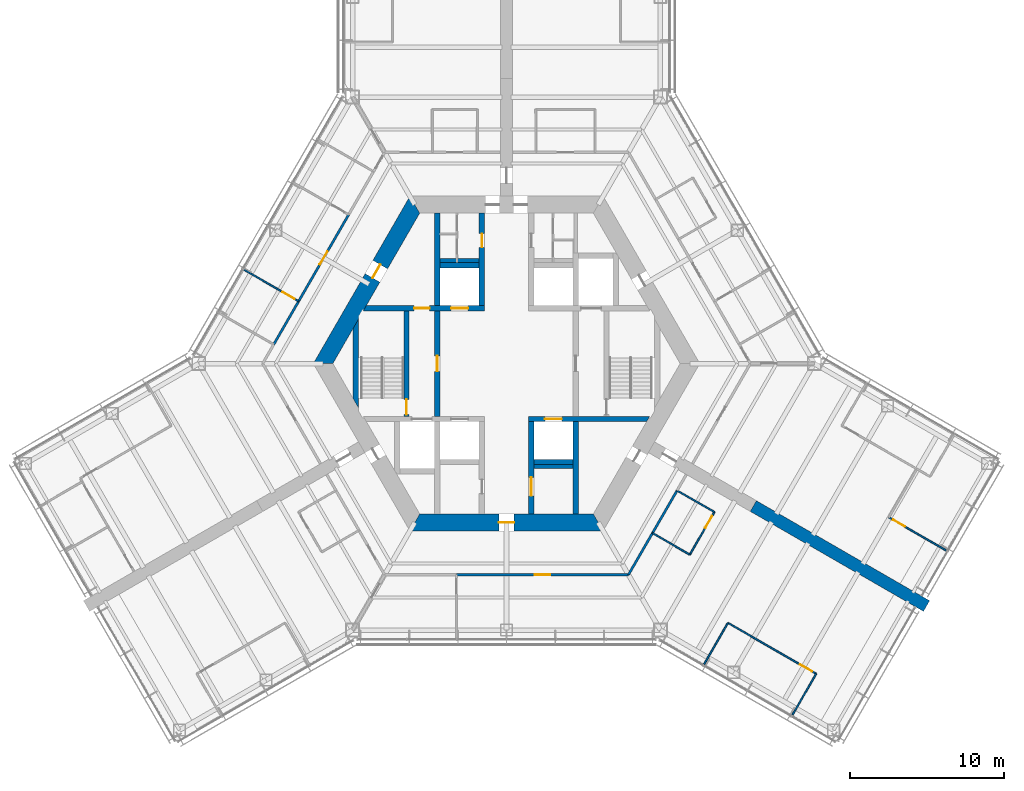
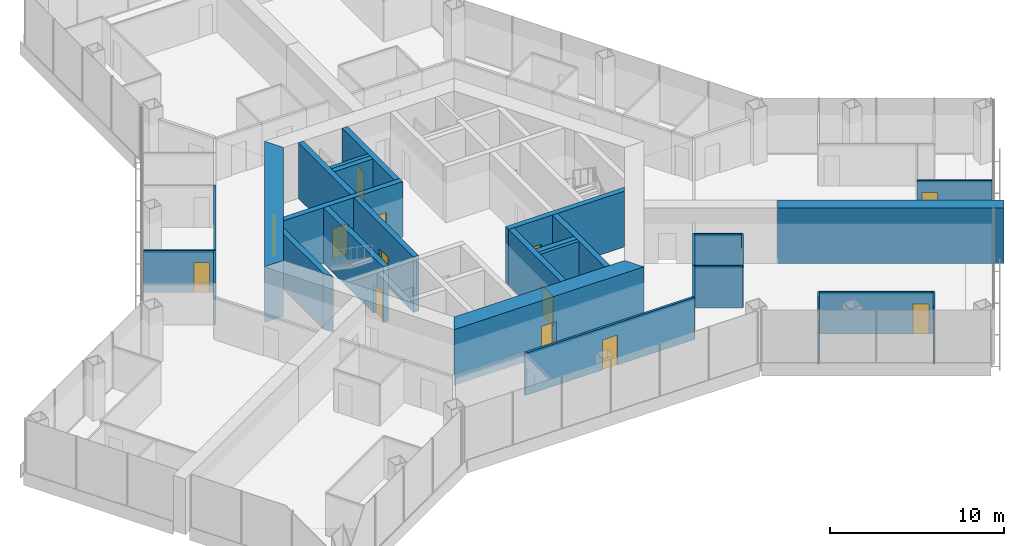
# One storey, part 13 of 19: 29 walls, 15 doors, 15 openings.
"""IFC4 building model written with IfcOpenShell, lengths in metres."""

from ifc_helpers import new_model, si_unit, direction, frame, frame_2d, origin, place, context, subcontext, project, spatial, polyline, rectangle, outline, extrude, material, layer, layer_set, type_object, element, fill, save


model = new_model("IFC4")

# Units and contexts
model_context = context("Model", 3, precision=1e-05, world=origin(), true_north=direction((0.0, 1.0)))
body_context = subcontext(model_context, "Body", "Model", "MODEL_VIEW")
ifc_project = project(units=[si_unit("LENGTHUNIT", "METRE"), si_unit("AREAUNIT", "SQUARE_METRE"), si_unit("VOLUMEUNIT", "CUBIC_METRE"), si_unit("PLANEANGLEUNIT", "RADIAN"), si_unit("MASSUNIT", "GRAM", prefix="KILO")], contexts=[model_context])

# Site, building, storey
site_placement = place(None, origin())
site = spatial("IfcSite", under=ifc_project, at=site_placement, CompositionType="ELEMENT")
building_placement = place(site_placement, origin())
building = spatial("IfcBuilding", under=site, at=building_placement, Name="Kasaneha Research Tower", CompositionType="ELEMENT")
storey_placement = place(building_placement, frame((0.0, 0.0, 104.10009765625)))
storey = spatial("IfcBuildingStorey", under=building, at=storey_placement, Name="L26", CompositionType="ELEMENT", Elevation=104.10009765625)

# Wall, openings, doors
ifc_material_1 = material(Name="Concrete Fc80", Category="concrete")
ifc_layer_1 = layer(ifc_material_1, 0.35009765625)
ifc_layer_set_1 = layer_set([ifc_layer_1], Name="Core internal wall 350 Fc80")
wall_type_1 = type_object("IfcWallType", Name="Core internal wall 350 Fc80", PredefinedType="SHEAR", material=ifc_layer_set_1)
wall_1_placement = place(storey_placement, frame((-9.208740234375, 3.60009765625, 0.0), z_axis=(0.0, 0.0, 1.0), x_axis=(1.0, 0.0, 0.0)))
wall_1 = element("IfcWall", 1, at=wall_1_placement, inside=storey, type_object=wall_type_1, Name="Core wall W1W L26", PredefinedType="SHEAR", context=body_context, shape_type="SweptSolid", body=[
    extrude(outline(polyline([(-0.10107421875, -0.175048828125), (3.208740234375, -0.175048828125), (4.208740234375, -0.175048828125), (5.608642578125, -0.175048828125), (6.708740234375, -0.175048828125), (7.78369140625, -0.175048828125), (7.78369140625, 0.175048828125), (6.708740234375, 0.175048828125), (5.608642578125, 0.175048828125), (4.208740234375, 0.175048828125), (3.208740234375, 0.175048828125), (0.10107421875, 0.175048828125), (-0.10107421875, -0.175048828125)])), origin(), (0.0, 0.0, 1.0), 3.89990234375),
])
opening_1_placement = place(wall_1_placement, frame((3.208740234375, 0.0, 0.0)))
opening_1 = element("IfcOpeningElement", 2, at=opening_1_placement, cuts=wall_1, Name="Opening L26-D12", PredefinedType="OPENING", context=body_context, shape_type="SweptSolid", body=[
    extrude(rectangle(XDim=1.0, YDim=2.10009765625, at=frame_2d((0.5, 1.050048828125))), frame((0.0, 0.18505859375, 0.0), z_axis=(0.0, -1.0, 0.0), x_axis=(1.0, 0.0, 0.0)), (0.0, 0.0, 1.0), 0.3701171875),
])
opening_2_placement = place(wall_1_placement, frame((5.608642578125, 0.0, 0.0)))
opening_2 = element("IfcOpeningElement", 3, at=opening_2_placement, cuts=wall_1, Name="Opening LD-LO1-L26", PredefinedType="OPENING", context=body_context, shape_type="SweptSolid", body=[
    extrude(rectangle(XDim=1.10009765625, YDim=2.10009765625, at=frame_2d((0.550048828125, 1.050048828125))), frame((0.0, 0.18505859375, 0.0), z_axis=(0.0, -1.0, 0.0), x_axis=(1.0, 0.0, 0.0)), (0.0, 0.0, 1.0), 0.3701171875),
])
ifc_material_2 = material(Name="Steel", Category="steel")
door_type_1 = type_object("IfcDoorType", Name="Lift landing door 1100x2100", OperationType="DOUBLE_DOOR_SLIDING", PredefinedType="DOOR", material=ifc_material_2)
door_1_placement = place(opening_2_placement, origin())
door_1 = element("IfcDoor", 4, at=door_1_placement, inside=storey, type_object=door_type_1, Name="Landing door LO1 LD-LO1-L26", OperationType="DOUBLE_DOOR_SLIDING", OverallHeight=2.10009765625, OverallWidth=1.10009765625, PredefinedType="DOOR", context=body_context, shape_type="SweptSolid", body=[
    extrude(rectangle(XDim=1.10009765625, YDim=2.10009765625, at=frame_2d((0.550048828125, 1.050048828125))), frame((0.0, 0.02490234375, 0.0), z_axis=(0.0, -1.0, 0.0), x_axis=(1.0, 0.0, 0.0)), (0.0, 0.0, 1.0), 0.050048828125),
])
fill(opening_2, door_1)
ifc_material_3 = material(Name="Steel", Category="steel")
door_type_2 = type_object("IfcDoorType", Name="Specified fire door FD60 1000x2100", OperationType="NOTDEFINED", PredefinedType="DOOR", material=ifc_material_3)
door_2_placement = place(opening_1_placement, origin())
door_2 = element("IfcDoor", 5, at=door_2_placement, inside=storey, type_object=door_type_2, Name="Vestibule to lobby door L26-D12", OperationType="SINGLE_SWING_RIGHT", OverallHeight=2.10009765625, OverallWidth=1.0, PredefinedType="DOOR", context=body_context, shape_type="SweptSolid", body=[
    extrude(rectangle(XDim=1.0, YDim=2.10009765625, at=frame_2d((0.5, 1.050048828125))), frame((0.0, 0.02490234375, 0.0), z_axis=(0.0, -1.0, 0.0), x_axis=(1.0, 0.0, 0.0)), (0.0, 0.0, 1.0), 0.050048828125),
])
fill(opening_1, door_2)

# Wall, opening, door
wall_2_placement = place(storey_placement, frame((1.425048828125, -3.60009765625, 0.0), z_axis=(0.0, 0.0, 1.0), x_axis=(1.0, 0.0, 0.0)))
wall_2 = element("IfcWall", 6, at=wall_2_placement, inside=storey, type_object=wall_type_1, Name="Core wall W2E L26", PredefinedType="SHEAR", context=body_context, shape_type="SweptSolid", body=[
    extrude(outline(polyline([(0.0, -0.175048828125), (1.074951171875, -0.175048828125), (2.175048828125, -0.175048828125), (7.6826171875, -0.175048828125), (7.884765625, 0.175048828125), (2.175048828125, 0.175048828125), (1.074951171875, 0.175048828125), (0.0, 0.175048828125), (0.0, -0.175048828125)])), origin(), (0.0, 0.0, 1.0), 3.89990234375),
])
opening_3_placement = place(wall_2_placement, frame((1.074951171875, 0.0, 0.0)))
opening_3 = element("IfcOpeningElement", 7, at=opening_3_placement, cuts=wall_2, Name="Opening LD-LO3-L26", PredefinedType="OPENING", context=body_context, shape_type="SweptSolid", body=[
    extrude(rectangle(XDim=1.10009765625, YDim=2.10009765625, at=frame_2d((0.550048828125, 1.050048828125))), frame((0.0, 0.18505859375, 0.0), z_axis=(0.0, -1.0, 0.0), x_axis=(1.0, 0.0, 0.0)), (0.0, 0.0, 1.0), 0.3701171875),
])
door_3_placement = place(opening_3_placement, origin())
door_3 = element("IfcDoor", 8, at=door_3_placement, inside=storey, type_object=door_type_1, Name="Landing door LO3 LD-LO3-L26", OperationType="DOUBLE_DOOR_SLIDING", OverallHeight=2.10009765625, OverallWidth=1.10009765625, PredefinedType="DOOR", context=body_context, shape_type="SweptSolid", body=[
    extrude(rectangle(XDim=1.10009765625, YDim=2.10009765625, at=frame_2d((0.550048828125, 1.050048828125))), frame((0.0, 0.02490234375, 0.0), z_axis=(0.0, -1.0, 0.0), x_axis=(1.0, 0.0, 0.0)), (0.0, 0.0, 1.0), 0.050048828125),
])
fill(opening_3, door_3)

wall_3_placement = place(storey_placement, frame((-1.60009765625, 3.77490234375, 0.0), z_axis=(0.0, 0.0, 1.0), x_axis=(0.0, 1.0, 0.0)))
wall_3 = element("IfcWall", 9, at=wall_3_placement, inside=storey, type_object=wall_type_1, Name="Core wall CNW L26", PredefinedType="SHEAR", context=body_context, shape_type="SweptSolid", body=[
    extrude(rectangle(XDim=6.0, YDim=0.35009765625, at=frame_2d((3.0, 0.0))), origin(), (0.0, 0.0, 1.0), 3.89990234375),
])
opening_4_placement = place(wall_3_placement, frame((3.77490234375, 0.0, 0.0)))
opening_4 = element("IfcOpeningElement", 10, at=opening_4_placement, cuts=wall_3, Name="Opening L26-D13", PredefinedType="OPENING", context=body_context, shape_type="SweptSolid", body=[
    extrude(rectangle(XDim=0.89990234375, YDim=2.10009765625, at=frame_2d((0.449951171875, 1.050048828125))), frame((0.0, 0.18505859375, 0.0), z_axis=(0.0, -1.0, 0.0), x_axis=(1.0, 0.0, 0.0)), (0.0, 0.0, 1.0), 0.3701171875),
])
ifc_material_4 = material(Name="Steel", Category="steel")
door_type_3 = type_object("IfcDoorType", Name="Toilet door FD20 900x2100", OperationType="NOTDEFINED", PredefinedType="DOOR", material=ifc_material_4)
door_4_placement = place(opening_4_placement, origin())
door_4 = element("IfcDoor", 11, at=door_4_placement, inside=storey, type_object=door_type_3, Name="Men's WC door L26-D13", OperationType="SINGLE_SWING_LEFT", OverallHeight=2.10009765625, OverallWidth=0.89990234375, PredefinedType="DOOR", context=body_context, shape_type="SweptSolid", body=[
    extrude(rectangle(XDim=0.89990234375, YDim=2.10009765625, at=frame_2d((0.449951171875, 1.050048828125))), frame((0.0, 0.02490234375, 0.0), z_axis=(0.0, -1.0, 0.0), x_axis=(1.0, 0.0, 0.0)), (0.0, 0.0, 1.0), 0.050048828125),
])
fill(opening_4, door_4)

wall_4_placement = place(storey_placement, frame((1.60009765625, -3.77490234375, 0.0), z_axis=(0.0, 0.0, 1.0), x_axis=(0.0, -1.0, 0.0)))
wall_4 = element("IfcWall", 12, at=wall_4_placement, inside=storey, type_object=wall_type_1, Name="Core wall CSE L26", PredefinedType="SHEAR", context=body_context, shape_type="SweptSolid", body=[
    extrude(rectangle(XDim=6.0, YDim=0.35009765625, at=frame_2d((3.0, 0.0))), origin(), (0.0, 0.0, 1.0), 3.89990234375),
])
opening_5_placement = place(wall_4_placement, frame((3.625, 0.0, 0.0)))
opening_5 = element("IfcOpeningElement", 13, at=opening_5_placement, cuts=wall_4, Name="Opening L26-D15", PredefinedType="OPENING", context=body_context, shape_type="SweptSolid", body=[
    extrude(rectangle(XDim=1.199951171875, YDim=2.10009765625, at=frame_2d((0.60009765625, 1.050048828125))), frame((0.0, 0.18505859375, 0.0), z_axis=(0.0, -1.0, 0.0), x_axis=(1.0, 0.0, 0.0)), (0.0, 0.0, 1.0), 0.3701171875),
])
ifc_material_5 = material(Name="Steel", Category="steel")
door_type_4 = type_object("IfcDoorType", Name="Accessible toilet sliding door FD20 1200x2100", OperationType="SLIDING_TO_LEFT", PredefinedType="DOOR", material=ifc_material_5)
door_5_placement = place(opening_5_placement, origin())
door_5 = element("IfcDoor", 14, at=door_5_placement, inside=storey, type_object=door_type_4, Name="Accessible WC door L26-D15", OperationType="SLIDING_TO_LEFT", OverallHeight=2.10009765625, OverallWidth=1.199951171875, PredefinedType="DOOR", context=body_context, shape_type="SweptSolid", body=[
    extrude(rectangle(XDim=1.199951171875, YDim=2.10009765625, at=frame_2d((0.60009765625, 1.050048828125))), frame((0.0, 0.02490234375, 0.0), z_axis=(0.0, -1.0, 0.0), x_axis=(1.0, 0.0, 0.0)), (0.0, 0.0, 1.0), 0.050048828125),
])
fill(opening_5, door_5)

wall_5_placement = place(storey_placement, frame((-4.5, -3.425048828125, 0.0), z_axis=(0.0, 0.0, 1.0), x_axis=(0.0, 1.0, 0.0)))
wall_5 = element("IfcWall", 15, at=wall_5_placement, inside=storey, type_object=wall_type_1, Name="Core wall LBW L26", PredefinedType="SHEAR", context=body_context, shape_type="SweptSolid", body=[
    extrude(rectangle(XDim=6.85009765625, YDim=0.35009765625, at=frame_2d((3.425048828125, 0.0))), origin(), (0.0, 0.0, 1.0), 3.89990234375),
])
opening_6_placement = place(wall_5_placement, frame((2.925048828125, 0.0, 0.0)))
opening_6 = element("IfcOpeningElement", 16, at=opening_6_placement, cuts=wall_5, Name="Opening L26-D09", PredefinedType="OPENING", context=body_context, shape_type="SweptSolid", body=[
    extrude(rectangle(XDim=1.0, YDim=2.10009765625, at=frame_2d((0.5, 1.050048828125))), frame((0.0, 0.18505859375, 0.0), z_axis=(0.0, -1.0, 0.0), x_axis=(1.0, 0.0, 0.0)), (0.0, 0.0, 1.0), 0.3701171875),
])
door_6_placement = place(opening_6_placement, origin())
door_6 = element("IfcDoor", 17, at=door_6_placement, inside=storey, type_object=door_type_2, Name="Lift lobby door west L26-D09", OperationType="SINGLE_SWING_LEFT", OverallHeight=2.10009765625, OverallWidth=1.0, PredefinedType="DOOR", context=body_context, shape_type="SweptSolid", body=[
    extrude(rectangle(XDim=1.0, YDim=2.10009765625, at=frame_2d((0.5, 1.050048828125))), frame((0.0, 0.02490234375, 0.0), z_axis=(0.0, -1.0, 0.0), x_axis=(1.0, 0.0, 0.0)), (0.0, 0.0, 1.0), 0.050048828125),
])
fill(opening_6, door_6)

wall_6_placement = place(storey_placement, frame((-6.5, -3.425048828125, 0.0), z_axis=(0.0, 0.0, 1.0), x_axis=(0.0, 1.0, 0.0)))
wall_6 = element("IfcWall", 18, at=wall_6_placement, inside=storey, type_object=wall_type_1, Name="Core wall ANW L26", PredefinedType="SHEAR", context=body_context, shape_type="SweptSolid", body=[
    extrude(rectangle(XDim=6.85009765625, YDim=0.35009765625, at=frame_2d((3.425048828125, 0.0))), origin(), (0.0, 0.0, 1.0), 3.89990234375),
])
opening_7_placement = place(wall_6_placement, frame((0.10009765625, 0.0, 0.0)))
opening_7 = element("IfcOpeningElement", 19, at=opening_7_placement, cuts=wall_6, Name="Opening L26-D11", PredefinedType="OPENING", context=body_context, shape_type="SweptSolid", body=[
    extrude(rectangle(XDim=1.0, YDim=2.10009765625, at=frame_2d((0.5, 1.050048828125))), frame((0.0, 0.18505859375, 0.0), z_axis=(0.0, -1.0, 0.0), x_axis=(1.0, 0.0, 0.0)), (0.0, 0.0, 1.0), 0.3701171875),
])
door_7_placement = place(opening_7_placement, origin())
door_7 = element("IfcDoor", 20, at=door_7_placement, inside=storey, type_object=door_type_2, Name="Stair 2 door L26-D11", OperationType="SINGLE_SWING_LEFT", OverallHeight=2.10009765625, OverallWidth=1.0, PredefinedType="DOOR", context=body_context, shape_type="SweptSolid", body=[
    extrude(rectangle(XDim=1.0, YDim=2.10009765625, at=frame_2d((0.5, 1.050048828125))), frame((0.0, 0.02490234375, 0.0), z_axis=(0.0, -1.0, 0.0), x_axis=(1.0, 0.0, 0.0)), (0.0, 0.0, 1.0), 0.050048828125),
])
fill(opening_7, door_7)

# Walls
for number, where, z_axis, x_axis, name in (
    (21, (-4.5, 3.77490234375, 0.0), (0.0, 0.0, 1.0), (0.0, 1.0, 0.0), "Core wall VNW L26"),
    (22, (4.5, -3.77490234375, 0.0), (0.0, 0.0, 1.0), (0.0, -1.0, 0.0), "Core wall SSE L26"),
):
    element("IfcWall", number, at=place(storey_placement, frame(where, z_axis=z_axis, x_axis=x_axis)), inside=storey, type_object=wall_type_1, Name=name, PredefinedType="SHEAR", context=body_context, shape_type="SweptSolid", body=[
        extrude(rectangle(XDim=6.0, YDim=0.35009765625, at=frame_2d((3.0, 0.0))), origin(), (0.0, 0.0, 1.0), 3.89990234375),
    ])
for number, where, z_axis, x_axis, name in (
    (23, (-4.324951171875, 6.39990234375, 0.0), (0.0, 0.0, 1.0), (1.0, 0.0, 0.0), "Core wall N1N L26"),
    (24, (1.77490234375, -6.39990234375, 0.0), (0.0, 0.0, 1.0), (1.0, 0.0, 0.0), "Core wall S3S L26"),
):
    element("IfcWall", number, at=place(storey_placement, frame(where, z_axis=z_axis, x_axis=x_axis)), inside=storey, type_object=wall_type_1, Name=name, PredefinedType="SHEAR", context=body_context, shape_type="SweptSolid", body=[
        extrude(rectangle(XDim=2.550048828125, YDim=0.35009765625, at=frame_2d((1.27490234375, 0.0))), origin(), (0.0, 0.0, 1.0), 3.89990234375),
    ])
wall_7_placement = place(storey_placement, frame((-9.807861328125, -2.562255859375, 0.0), z_axis=(0.0, 0.0, 1.0), x_axis=(0.0, 1.0, 0.0)))
element("IfcWall", 25, at=wall_7_placement, inside=storey, type_object=wall_type_1, Name="Core wall STW L26", PredefinedType="SHEAR", context=body_context, shape_type="SweptSolid", body=[
    extrude(outline(polyline([(-0.30322265625, -0.175048828125), (5.427734375, -0.175048828125), (4.8212890625, 0.175048828125), (0.30322265625, 0.175048828125), (-0.30322265625, -0.175048828125)])), origin(), (0.0, 0.0, 1.0), 3.89990234375),
])

# Wall, opening, door
ifc_material_6 = material(Name="Concrete Fc80", Category="concrete")
ifc_layer_2 = layer(ifc_material_6, 1.10009765625)
ifc_layer_set_2 = layer_set([ifc_layer_2], Name="Core wall 1100 Fc80")
wall_type_2 = type_object("IfcWallType", Name="Core wall 1100 Fc80", PredefinedType="SHEAR", material=ifc_layer_set_2)
wall_8_placement = place(storey_placement, frame((-5.961181640625, 10.324951171875, 0.0), z_axis=(0.0, 0.0, 1.0), x_axis=(-0.500004296715, -0.866022923061, 0.0)))
wall_8 = element("IfcWall", 26, at=wall_8_placement, inside=storey, type_object=wall_type_2, Name="Core wall 150 L26", PredefinedType="SHEAR", context=body_context, shape_type="SweptSolid", body=[
    extrude(outline(polyline([(-0.317626953125, -0.550048828125), (4.494140625, -0.550048828125), (5.494140625, -0.550048828125), (12.239990234375, -0.550048828125), (11.604736328125, 0.550048828125), (5.494140625, 0.550048828125), (4.494140625, 0.550048828125), (0.317626953125, 0.550048828125), (-0.317626953125, -0.550048828125)])), origin(), (0.0, 0.0, 1.0), 3.89990234375),
])
opening_8_placement = place(wall_8_placement, frame((4.494140625, 0.0, 0.0)))
opening_8 = element("IfcOpeningElement", 27, at=opening_8_placement, cuts=wall_8, Name="Opening L26-D07", PredefinedType="OPENING", context=body_context, shape_type="SweptSolid", body=[
    extrude(rectangle(XDim=1.0, YDim=2.10009765625, at=frame_2d((0.5, 1.050048828125))), frame((0.0, 0.56005859375, 0.0), z_axis=(0.0, -1.0, 0.0), x_axis=(1.0, 0.0, 0.0)), (0.0, 0.0, 1.0), 1.1201171875),
])
ifc_material_7 = material(Name="Steel", Category="steel")
door_type_5 = type_object("IfcDoorType", Name="Fire door FD20 1000x2100", OperationType="NOTDEFINED", PredefinedType="DOOR", material=ifc_material_7)
door_8_placement = place(opening_8_placement, origin())
door_8 = element("IfcDoor", 28, at=door_8_placement, inside=storey, type_object=door_type_5, Name="Vestibule door L26-D07", OperationType="SINGLE_SWING_LEFT", OverallHeight=2.10009765625, OverallWidth=1.0, PredefinedType="DOOR", context=body_context, shape_type="SweptSolid", body=[
    extrude(rectangle(XDim=1.0, YDim=2.10009765625, at=frame_2d((0.5, 1.050048828125))), frame((0.0, 0.02490234375, 0.0), z_axis=(0.0, -1.0, 0.0), x_axis=(1.0, 0.0, 0.0)), (0.0, 0.0, 1.0), 0.050048828125),
])
fill(opening_8, door_8)

wall_9_placement = place(storey_placement, frame((-5.961181640625, -10.324951171875, 0.0), z_axis=(0.0, 0.0, 1.0), x_axis=(1.0, 0.0, 0.0)))
wall_9 = element("IfcWall", 29, at=wall_9_placement, inside=storey, type_object=wall_type_2, Name="Core wall 270 L26", PredefinedType="SHEAR", context=body_context, shape_type="SweptSolid", body=[
    extrude(outline(polyline([(-0.317626953125, -0.550048828125), (5.461181640625, -0.550048828125), (6.461181640625, -0.550048828125), (12.239990234375, -0.550048828125), (11.604736328125, 0.550048828125), (6.461181640625, 0.550048828125), (5.461181640625, 0.550048828125), (0.317626953125, 0.550048828125), (-0.317626953125, -0.550048828125)])), origin(), (0.0, 0.0, 1.0), 3.89990234375),
])
opening_9_placement = place(wall_9_placement, frame((5.461181640625, 0.0, 0.0)))
opening_9 = element("IfcOpeningElement", 30, at=opening_9_placement, cuts=wall_9, Name="Opening L26-D03", PredefinedType="OPENING", context=body_context, shape_type="SweptSolid", body=[
    extrude(rectangle(XDim=1.0, YDim=2.10009765625, at=frame_2d((0.5, 1.050048828125))), frame((0.0, 0.56005859375, 0.0), z_axis=(0.0, -1.0, 0.0), x_axis=(1.0, 0.0, 0.0)), (0.0, 0.0, 1.0), 1.1201171875),
])
door_9_placement = place(opening_9_placement, origin())
door_9 = element("IfcDoor", 31, at=door_9_placement, inside=storey, type_object=door_type_5, Name="Core door south L26-D03", OperationType="SINGLE_SWING_LEFT", OverallHeight=2.10009765625, OverallWidth=1.0, PredefinedType="DOOR", context=body_context, shape_type="SweptSolid", body=[
    extrude(rectangle(XDim=1.0, YDim=2.10009765625, at=frame_2d((0.5, 1.050048828125))), frame((0.0, 0.02490234375, 0.0), z_axis=(0.0, -1.0, 0.0), x_axis=(1.0, 0.0, 0.0)), (0.0, 0.0, 1.0), 0.050048828125),
])
fill(opening_9, door_9)

ifc_material_8 = material(Name="Gypsum board on steel studs, one layer each side", Category="steel")
ifc_layer_3 = layer(ifc_material_8, 0.10009765625)
ifc_layer_set_3 = layer_set([ifc_layer_3], Name="Office partition 100")
wall_type_3 = type_object("IfcWallType", Name="Office partition 100", PredefinedType="PARTITIONING", material=ifc_layer_set_3)
wall_10_placement = place(storey_placement, frame((-17.05615234375, 6.098876953125, 0.0), z_axis=(0.0, 0.0, 1.0), x_axis=(0.865456213931, -0.500984572385, 0.0)))
wall_10 = element("IfcWall", 32, at=wall_10_placement, inside=storey, type_object=wall_type_3, Name="Office partition FBN11 L26", PredefinedType="PARTITIONING", context=body_context, shape_type="SweptSolid", body=[
    extrude(rectangle(XDim=4.095458984375, YDim=0.10009765625, at=frame_2d((2.0478515625, 0.0))), origin(), (0.0, 0.0, 1.0), 2.949951171875),
])
opening_10_placement = place(wall_10_placement, frame((2.8955078125, 0.0, 0.0)))
opening_10 = element("IfcOpeningElement", 33, at=opening_10_placement, cuts=wall_10, Name="Opening L26-D43", PredefinedType="OPENING", context=body_context, shape_type="SweptSolid", body=[
    extrude(rectangle(XDim=0.89990234375, YDim=2.10009765625, at=frame_2d((0.449951171875, 1.050048828125))), frame((0.0, 0.06005859375, 0.0), z_axis=(0.0, -1.0, 0.0), x_axis=(1.0, 0.0, 0.0)), (0.0, 0.0, 1.0), 0.1201171875),
])
ifc_material_9 = material(Name="Timber veneer", Category="wood")
door_type_6 = type_object("IfcDoorType", Name="Office door 900x2100", OperationType="SINGLE_SWING_LEFT", PredefinedType="DOOR", material=ifc_material_9)
door_10_placement = place(opening_10_placement, origin())
door_10 = element("IfcDoor", 34, at=door_10_placement, inside=storey, type_object=door_type_6, Name="Meeting room door L26-D43", OperationType="SINGLE_SWING_RIGHT", OverallHeight=2.10009765625, OverallWidth=0.89990234375, PredefinedType="DOOR", context=body_context, shape_type="SweptSolid", body=[
    extrude(rectangle(XDim=0.89990234375, YDim=2.10009765625, at=frame_2d((0.449951171875, 1.050048828125))), frame((0.0, 0.02490234375, 0.0), z_axis=(0.0, -1.0, 0.0), x_axis=(1.0, 0.0, 0.0)), (0.0, 0.0, 1.0), 0.050048828125),
])
fill(opening_10, door_10)

wall_11_placement = place(storey_placement, frame((28.57470703125, -12.148193359375, 0.0), z_axis=(0.0, 0.0, 1.0), x_axis=(-0.866033360935, 0.499986217557, 0.0)))
wall_11 = element("IfcWall", 35, at=wall_11_placement, inside=storey, type_object=wall_type_3, Name="Office partition FCE07 L26", PredefinedType="PARTITIONING", context=body_context, shape_type="SweptSolid", body=[
    extrude(rectangle(XDim=4.2998046875, YDim=0.10009765625, at=frame_2d((2.14990234375, 0.0))), origin(), (0.0, 0.0, 1.0), 2.949951171875),
])
opening_11_placement = place(wall_11_placement, frame((3.10009765625, 0.0, 0.0)))
opening_11 = element("IfcOpeningElement", 36, at=opening_11_placement, cuts=wall_11, Name="Opening L26-D52", PredefinedType="OPENING", context=body_context, shape_type="SweptSolid", body=[
    extrude(rectangle(XDim=0.89990234375, YDim=2.10009765625, at=frame_2d((0.449951171875, 1.050048828125))), frame((0.0, 0.06005859375, 0.0), z_axis=(0.0, -1.0, 0.0), x_axis=(1.0, 0.0, 0.0)), (0.0, 0.0, 1.0), 0.1201171875),
])
door_11_placement = place(opening_11_placement, origin())
door_11 = element("IfcDoor", 37, at=door_11_placement, inside=storey, type_object=door_type_6, Name="Meeting room door L26-D52", OperationType="SINGLE_SWING_RIGHT", OverallHeight=2.10009765625, OverallWidth=0.89990234375, PredefinedType="DOOR", context=body_context, shape_type="SweptSolid", body=[
    extrude(rectangle(XDim=0.89990234375, YDim=2.10009765625, at=frame_2d((0.449951171875, 1.050048828125))), frame((0.0, 0.02490234375, 0.0), z_axis=(0.0, -1.0, 0.0), x_axis=(1.0, 0.0, 0.0)), (0.0, 0.0, 1.0), 0.050048828125),
])
fill(opening_11, door_11)

# Walls
wall_12_placement = place(storey_placement, frame((11.083984375, -8.251953125, 0.0), z_axis=(0.0, 0.0, 1.0), x_axis=(0.86679607088, -0.498662783358, 0.0)))
element("IfcWall", 38, at=wall_12_placement, inside=storey, type_object=wall_type_3, Name="Office partition FCS06 L26", PredefinedType="PARTITIONING", context=body_context, shape_type="SweptSolid", body=[
    extrude(rectangle(XDim=2.800048828125, YDim=0.10009765625, at=frame_2d((1.39990234375, 0.0))), origin(), (0.0, 0.0, 1.0), 2.949951171875),
])
wall_13_placement = place(storey_placement, frame((11.9111328125, -12.41943359375, 0.0), z_axis=(0.0, 0.0, 1.0), x_axis=(-0.86521729344, 0.50139708329, 0.0)))
element("IfcWall", 39, at=wall_13_placement, inside=storey, type_object=wall_type_3, Name="Office partition FCS07 L26", PredefinedType="PARTITIONING", context=body_context, shape_type="SweptSolid", body=[
    extrude(rectangle(XDim=2.80029296875, YDim=0.10009765625, at=frame_2d((1.400146484375, 0.0))), origin(), (0.0, 0.0, 1.0), 2.949951171875),
])

# Wall, opening, door
wall_14_placement = place(storey_placement, frame((13.510986328125, -9.648193359375, 0.0), z_axis=(0.0, 0.0, 1.0), x_axis=(-0.499971222258, -0.866042017984, 0.0)))
wall_14 = element("IfcWall", 40, at=wall_14_placement, inside=storey, type_object=wall_type_3, Name="Office partition FCS08 L26", PredefinedType="PARTITIONING", context=body_context, shape_type="SweptSolid", body=[
    extrude(rectangle(XDim=3.199951171875, YDim=0.10009765625, at=frame_2d((1.60009765625, 0.0))), origin(), (0.0, 0.0, 1.0), 2.949951171875),
])
opening_12_placement = place(wall_14_placement, frame((0.300048828125, 0.0, 0.0)))
opening_12 = element("IfcOpeningElement", 41, at=opening_12_placement, cuts=wall_14, Name="Opening L26-D54", PredefinedType="OPENING", context=body_context, shape_type="SweptSolid", body=[
    extrude(rectangle(XDim=0.89990234375, YDim=2.10009765625, at=frame_2d((0.449951171875, 1.050048828125))), frame((0.0, 0.06005859375, 0.0), z_axis=(0.0, -1.0, 0.0), x_axis=(1.0, 0.0, 0.0)), (0.0, 0.0, 1.0), 0.1201171875),
])
door_12_placement = place(opening_12_placement, origin())
door_12 = element("IfcDoor", 42, at=door_12_placement, inside=storey, type_object=door_type_6, Name="Pantry door L26-D54", OperationType="SINGLE_SWING_LEFT", OverallHeight=2.10009765625, OverallWidth=0.89990234375, PredefinedType="DOOR", context=body_context, shape_type="SweptSolid", body=[
    extrude(rectangle(XDim=0.89990234375, YDim=2.10009765625, at=frame_2d((0.449951171875, 1.050048828125))), frame((0.0, 0.02490234375, 0.0), z_axis=(0.0, -1.0, 0.0), x_axis=(1.0, 0.0, 0.0)), (0.0, 0.0, 1.0), 0.050048828125),
])
fill(opening_12, door_12)

# Wall
wall_15_placement = place(storey_placement, frame((12.84228515625, -19.538818359375, 0.0), z_axis=(0.0, 0.0, 1.0), x_axis=(0.499933790963, 0.866063626216, 0.0)))
element("IfcWall", 43, at=wall_15_placement, inside=storey, type_object=wall_type_3, Name="Office partition FCS09 L26", PredefinedType="PARTITIONING", context=body_context, shape_type="SweptSolid", body=[
    extrude(rectangle(XDim=3.10009765625, YDim=0.10009765625, at=frame_2d((1.550048828125, 0.0))), origin(), (0.0, 0.0, 1.0), 2.949951171875),
])

# Wall, opening, door
wall_16_placement = place(storey_placement, frame((14.39208984375, -16.85400390625, 0.0), z_axis=(0.0, 0.0, 1.0), x_axis=(0.866030817826, -0.499990622488, 0.0)))
wall_16 = element("IfcWall", 44, at=wall_16_placement, inside=storey, type_object=wall_type_3, Name="Office partition FCS10 L26", PredefinedType="PARTITIONING", context=body_context, shape_type="SweptSolid", body=[
    extrude(rectangle(XDim=6.619873046875, YDim=0.10009765625, at=frame_2d((3.31005859375, 0.0))), origin(), (0.0, 0.0, 1.0), 2.949951171875),
])
opening_13_placement = place(wall_16_placement, frame((5.419677734375, 0.0, 0.0)))
opening_13 = element("IfcOpeningElement", 45, at=opening_13_placement, cuts=wall_16, Name="Opening L26-D55", PredefinedType="OPENING", context=body_context, shape_type="SweptSolid", body=[
    extrude(rectangle(XDim=0.89990234375, YDim=2.10009765625, at=frame_2d((0.449951171875, 1.050048828125))), frame((0.0, 0.06005859375, 0.0), z_axis=(0.0, -1.0, 0.0), x_axis=(1.0, 0.0, 0.0)), (0.0, 0.0, 1.0), 0.1201171875),
])
door_13_placement = place(opening_13_placement, origin())
door_13 = element("IfcDoor", 46, at=door_13_placement, inside=storey, type_object=door_type_6, Name="Manager's office door L26-D55", OperationType="SINGLE_SWING_RIGHT", OverallHeight=2.10009765625, OverallWidth=0.89990234375, PredefinedType="DOOR", context=body_context, shape_type="SweptSolid", body=[
    extrude(rectangle(XDim=0.89990234375, YDim=2.10009765625, at=frame_2d((0.449951171875, 1.050048828125))), frame((0.0, 0.02490234375, 0.0), z_axis=(0.0, -1.0, 0.0), x_axis=(1.0, 0.0, 0.0)), (0.0, 0.0, 1.0), 0.050048828125),
])
fill(opening_13, door_13)

# Walls
wall_17_placement = place(storey_placement, frame((20.125, -20.163818359375, 0.0), z_axis=(0.0, 0.0, 1.0), x_axis=(-0.499992328818, -0.866029832698, 0.0)))
element("IfcWall", 47, at=wall_17_placement, inside=storey, type_object=wall_type_3, Name="Office partition FCS11 L26", PredefinedType="PARTITIONING", context=body_context, shape_type="SweptSolid", body=[
    extrude(rectangle(XDim=3.080078125, YDim=0.10009765625, at=frame_2d((1.5400390625, 0.0))), origin(), (0.0, 0.0, 1.0), 2.949951171875),
])
ifc_material_10 = material(Name="Concrete Fc80", Category="concrete")
ifc_layer_4 = layer(ifc_material_10, 0.800048828125)
ifc_layer_set_4 = layer_set([ifc_layer_4], Name="Spine wall 800 Fc80")
wall_type_4 = type_object("IfcWallType", Name="Spine wall 800 Fc80", PredefinedType="SHEAR", material=ifc_layer_set_4)
wall_18_placement = place(storey_placement, frame((16.039306640625, -9.26025390625, 0.0), z_axis=(0.0, 0.0, 1.0), x_axis=(0.866024837091, -0.50000098154, 0.0)))
element("IfcWall", 48, at=wall_18_placement, inside=storey, type_object=wall_type_4, Name="Spine wall C wing L26", PredefinedType="SHEAR", context=body_context, shape_type="SweptSolid", body=[
    extrude(rectangle(XDim=13.0, YDim=0.800048828125, at=frame_2d((6.5, 0.0))), origin(), (0.0, 0.0, 1.0), 3.89990234375),
])
ifc_material_11 = material(Name="Gypsum board on steel studs, two layers each side", Category="steel")
ifc_layer_5 = layer(ifc_material_11, 0.14990234375)
ifc_layer_set_5 = layer_set([ifc_layer_5], Name="Suite partition 150")
wall_type_5 = type_object("IfcWallType", Name="Suite partition 150", PredefinedType="PARTITIONING", material=ifc_layer_set_5)
wall_19_placement = place(storey_placement, frame((-15.135009765625, 1.235107421875, 0.0), z_axis=(0.0, 0.0, 1.0), x_axis=(0.499969057507, 0.866043267704, 0.0)))
element("IfcWall", 49, at=wall_19_placement, inside=storey, type_object=wall_type_5, Name="Suite partition FBN01 L26", PredefinedType="PARTITIONING", context=body_context, shape_type="SweptSolid", body=[
    extrude(rectangle(XDim=3.256591796875, YDim=0.14990234375, at=frame_2d((1.62841796875, 0.0))), origin(), (0.0, 0.0, 1.0), 2.949951171875),
])

# Wall, opening, door
wall_20_placement = place(storey_placement, frame((-13.51171875, 4.047119140625, 0.0), z_axis=(0.0, 0.0, 1.0), x_axis=(0.500016073435, 0.866016123583, 0.0)))
wall_20 = element("IfcWall", 50, at=wall_20_placement, inside=storey, type_object=wall_type_5, Name="Suite partition FBN06 L26", PredefinedType="PARTITIONING", context=body_context, shape_type="SweptSolid", body=[
    extrude(rectangle(XDim=6.501708984375, YDim=0.14990234375, at=frame_2d((3.2509765625, 0.0))), origin(), (0.0, 0.0, 1.0), 2.949951171875),
])
opening_14_placement = place(wall_20_placement, frame((2.750732421875, 0.0, 0.0)))
opening_14 = element("IfcOpeningElement", 51, at=opening_14_placement, cuts=wall_20, Name="Opening L26-D41", PredefinedType="OPENING", context=body_context, shape_type="SweptSolid", body=[
    extrude(rectangle(XDim=1.0, YDim=2.10009765625, at=frame_2d((0.5, 1.050048828125))), frame((0.0, 0.0849609375, 0.0), z_axis=(0.0, -1.0, 0.0), x_axis=(1.0, 0.0, 0.0)), (0.0, 0.0, 1.0), 0.169921875),
])
ifc_material_12 = material(Name="Steel", Category="steel")
door_type_7 = type_object("IfcDoorType", Name="Suite entrance door FD60 1000x2100", OperationType="NOTDEFINED", PredefinedType="DOOR", material=ifc_material_12)
door_14_placement = place(opening_14_placement, origin())
door_14 = element("IfcDoor", 52, at=door_14_placement, inside=storey, type_object=door_type_7, Name="Suite entrance door L26-D41", OperationType="SINGLE_SWING_LEFT", OverallHeight=2.10009765625, OverallWidth=1.0, PredefinedType="DOOR", context=body_context, shape_type="SweptSolid", body=[
    extrude(rectangle(XDim=1.0, YDim=2.10009765625, at=frame_2d((0.5, 1.050048828125))), frame((0.0, 0.02490234375, 0.0), z_axis=(0.0, -1.0, 0.0), x_axis=(1.0, 0.0, 0.0)), (0.0, 0.0, 1.0), 0.050048828125),
])
fill(opening_14, door_14)

# Wall
wall_21_placement = place(storey_placement, frame((11.088623046875, -8.243896484375, 0.0), z_axis=(0.0, 0.0, 1.0), x_axis=(-0.500016533484, -0.866015857963, 0.0)))
element("IfcWall", 53, at=wall_21_placement, inside=storey, type_object=wall_type_5, Name="Suite partition FCS01 L26", PredefinedType="PARTITIONING", context=body_context, shape_type="SweptSolid", body=[
    extrude(rectangle(XDim=3.2099609375, YDim=0.14990234375, at=frame_2d((1.60498046875, 0.0))), origin(), (0.0, 0.0, 1.0), 2.949951171875),
])

# Wall, opening, door
wall_22_placement = place(storey_placement, frame((7.924072265625, -13.72509765625, 0.0), z_axis=(0.0, 0.0, 1.0), x_axis=(-1.0, 0.0, 0.0)))
wall_22 = element("IfcWall", 54, at=wall_22_placement, inside=storey, type_object=wall_type_5, Name="Suite partition FCS03 L26", PredefinedType="PARTITIONING", context=body_context, shape_type="SweptSolid", body=[
    extrude(rectangle(XDim=11.175048828125, YDim=0.14990234375, at=frame_2d((5.58740234375, 0.0))), origin(), (0.0, 0.0, 1.0), 2.949951171875),
])
opening_15_placement = place(wall_22_placement, frame((5.08740234375, 0.0, 0.0)))
opening_15 = element("IfcOpeningElement", 55, at=opening_15_placement, cuts=wall_22, Name="Opening L26-D53", PredefinedType="OPENING", context=body_context, shape_type="SweptSolid", body=[
    extrude(rectangle(XDim=1.0, YDim=2.10009765625, at=frame_2d((0.5, 1.050048828125))), frame((0.0, 0.0849609375, 0.0), z_axis=(0.0, -1.0, 0.0), x_axis=(1.0, 0.0, 0.0)), (0.0, 0.0, 1.0), 0.169921875),
])
door_15_placement = place(opening_15_placement, origin())
door_15 = element("IfcDoor", 56, at=door_15_placement, inside=storey, type_object=door_type_7, Name="Suite entrance door L26-D53", OperationType="SINGLE_SWING_LEFT", OverallHeight=2.10009765625, OverallWidth=1.0, PredefinedType="DOOR", context=body_context, shape_type="SweptSolid", body=[
    extrude(rectangle(XDim=1.0, YDim=2.10009765625, at=frame_2d((0.5, 1.050048828125))), frame((0.0, 0.02490234375, 0.0), z_axis=(0.0, -1.0, 0.0), x_axis=(1.0, 0.0, 0.0)), (0.0, 0.0, 1.0), 0.050048828125),
])
fill(opening_15, door_15)

# Walls
wall_23_placement = place(storey_placement, frame((9.48828125, -11.015380859375, 0.0), z_axis=(0.0, 0.0, 1.0), x_axis=(-0.499940853474, -0.866059549354, 0.0)))
element("IfcWall", 57, at=wall_23_placement, inside=storey, type_object=wall_type_5, Name="Suite partition FCS04 L26", PredefinedType="PARTITIONING", context=body_context, shape_type="SweptSolid", body=[
    extrude(rectangle(XDim=3.12890625, YDim=0.14990234375, at=frame_2d((1.564453125, 0.0))), origin(), (0.0, 0.0, 1.0), 2.949951171875),
])
ifc_material_13 = material(Name="Concrete block lining", Category="concrete")
ifc_layer_6 = layer(ifc_material_13, 0.25)
ifc_layer_set_6 = layer_set([ifc_layer_6], Name="WC plumbing wall 250")
wall_type_6 = type_object("IfcWallType", Name="WC plumbing wall 250", PredefinedType="PLUMBINGWALL", material=ifc_layer_set_6)
for number, where, z_axis, x_axis, name in (
    (58, (-4.324951171875, 6.699951171875, 0.0), (0.0, 0.0, 1.0), (1.0, 0.0, 0.0), "WC plumbing wall M L26"),
    (59, (1.77490234375, -6.699951171875, 0.0), (0.0, 0.0, 1.0), (1.0, 0.0, 0.0), "WC plumbing wall A L26"),
):
    element("IfcWall", number, at=place(storey_placement, frame(where, z_axis=z_axis, x_axis=x_axis)), inside=storey, type_object=wall_type_6, Name=name, PredefinedType="PLUMBINGWALL", context=body_context, shape_type="SweptSolid", body=[
        extrude(rectangle(XDim=2.550048828125, YDim=0.25, at=frame_2d((1.27490234375, 0.0))), origin(), (0.0, 0.0, 1.0), 3.89990234375),
    ])

save(model, "model.ifc")
